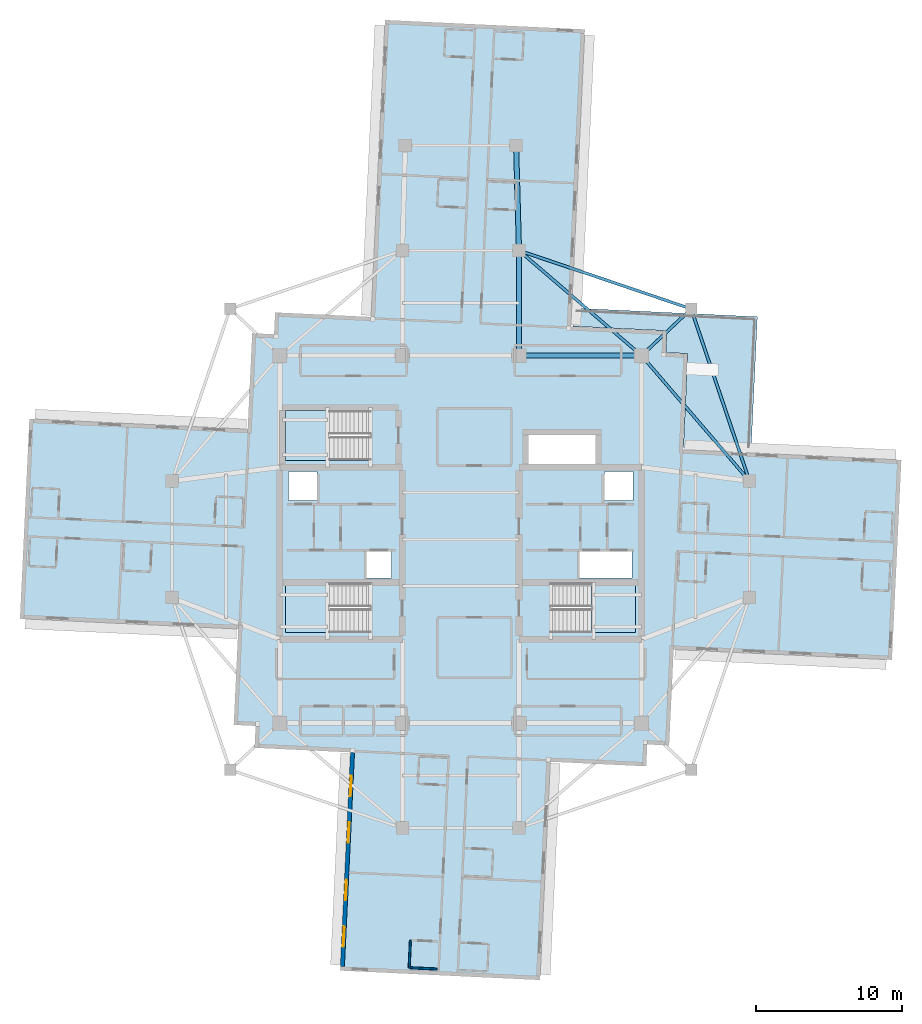
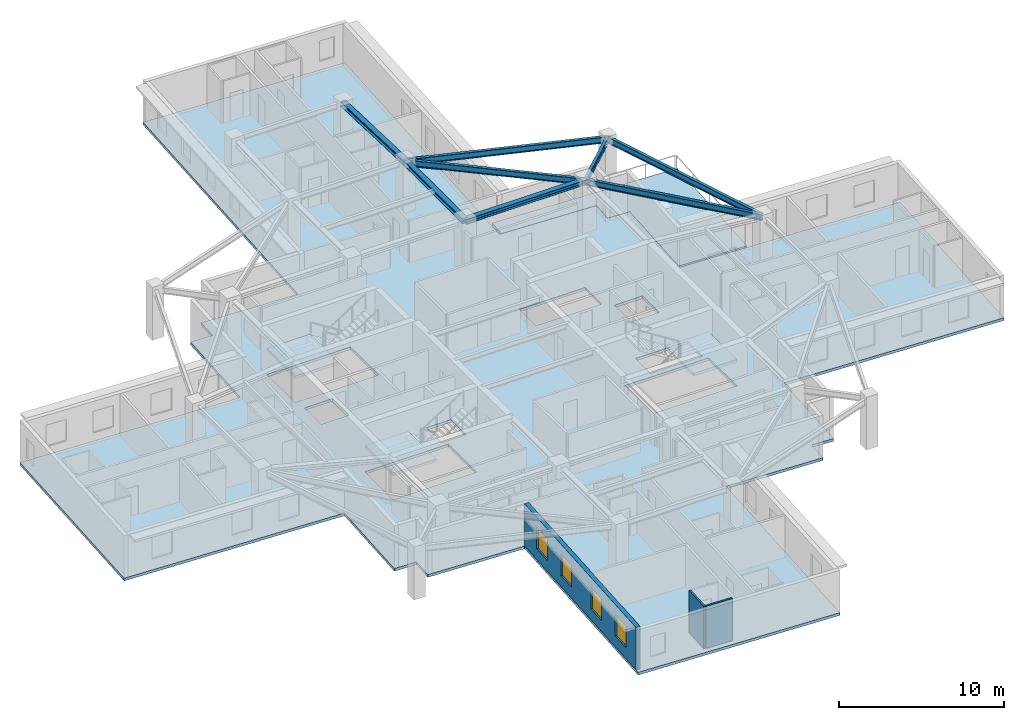
# One storey, part 2 of 13: 8 beams, 5 slabs, 4 windows, 3 walls, 4 openings, 3 elements without a shape of their own.
"""IFC4 building model written with IfcOpenShell, lengths in metres."""

from ifc_helpers import new_model, si_unit, direction, frame, frame_2d, origin, origin_2d, place, context, subcontext, project, spatial, polyline, rectangle, i_section, outline, extrude, material, layer, layer_set, material_profile, profile_set, type_object, element, fill, aggregate, save


model = new_model("IFC4")

# Units and contexts
model_context = context("Model", 3, precision=1e-05, world=origin(), true_north=direction((0.0, 1.0)))
body_context = subcontext(model_context, "Body", "Model", "MODEL_VIEW")
ifc_project = project(units=[si_unit("LENGTHUNIT", "METRE"), si_unit("AREAUNIT", "SQUARE_METRE"), si_unit("VOLUMEUNIT", "CUBIC_METRE"), si_unit("PLANEANGLEUNIT", "RADIAN"), si_unit("MASSUNIT", "GRAM", prefix="KILO")], contexts=[model_context])

# Site, building, storey
site_placement = place(None, origin())
site = spatial("IfcSite", under=ifc_project, at=site_placement, CompositionType="ELEMENT")
building_placement = place(site_placement, origin())
building = spatial("IfcBuilding", under=site, at=building_placement, Name="Qingluan Cross Belvedere", CompositionType="ELEMENT")
storey_placement = place(building_placement, frame((0.0, 0.0, 236.39990234375)))
storey = spatial("IfcBuildingStorey", under=building, at=storey_placement, Name="L59", CompositionType="ELEMENT", Elevation=236.39990234375)

# Beams
ifc_material_1 = material(Name="Steel Q420GJB", Category="steel")
ifc_material_profile_1 = material_profile(ifc_material_1, i_section(OverallWidth=0.199951171875, OverallDepth=0.449951171875, WebThickness=0.009033203125, FlangeThickness=0.013916015625, FilletRadius=0.01611328125, at=origin_2d()), Name="HN450x200x9x14")
ifc_profile_set_1 = profile_set([ifc_material_profile_1], Name="Steel Q420GJB")
beam_type_1 = type_object("IfcBeamType", Name="Steel_Beam_HN450x200x9x14", PredefinedType="JOIST", material=ifc_profile_set_1)
beam_1_placement = place(storey_placement, frame((12.39990234375, 12.60009765625, 3.425048828125), z_axis=(0.728219948308, 0.685343495546, 0.0), x_axis=(-0.685343495546, 0.728219948308, 0.0)))
element("IfcBeam", 1, at=beam_1_placement, inside=storey, type_object=beam_type_1, Name="Corner beam 1 L59-RNE", PredefinedType="JOIST", context=body_context, shape_type="SweptSolid", body=[
    extrude(i_section(OverallWidth=0.199951171875, OverallDepth=0.449951171875, WebThickness=0.009033203125, FlangeThickness=0.013916015625, FilletRadius=0.01611328125, at=origin_2d()), origin(), (0.0, 0.0, 1.0), 4.669189453125),
])
for number, where, z_axis, x_axis, name in (
    (2, (15.800048828125, 15.800048828125, 3.425048828125), (-0.947066283324, 0.321038089628, 0.0), (-0.321038089628, -0.947066283324, 0.0), "Corner beam 2 L59-RNE"),
    (3, (15.800048828125, 15.800048828125, 3.425048828125), (0.321038089628, -0.947066283324, 0.0), (0.947066283324, 0.321038089628, 0.0), "Corner beam 3 L59-RNE"),
):
    element("IfcBeam", number, at=place(storey_placement, frame(where, z_axis=z_axis, x_axis=x_axis)), inside=storey, type_object=beam_type_1, Name=name, PredefinedType="JOIST", context=body_context, shape_type="SweptSolid", body=[
        extrude(i_section(OverallWidth=0.199951171875, OverallDepth=0.449951171875, WebThickness=0.009033203125, FlangeThickness=0.013916015625, FilletRadius=0.01611328125, at=origin_2d()), origin(), (0.0, 0.0, 1.0), 12.45947265625),
    ])
beam_2_placement = place(storey_placement, frame((12.39990234375, 12.60009765625, 3.425048828125), z_axis=(0.652245077546, -0.75800815221, 0.0), x_axis=(0.75800815221, 0.652245077546, 0.0)))
element("IfcBeam", 4, at=beam_2_placement, inside=storey, type_object=beam_type_1, Name="Corner beam 4 L59-RNE", PredefinedType="JOIST", context=body_context, shape_type="SweptSolid", body=[
    extrude(i_section(OverallWidth=0.199951171875, OverallDepth=0.449951171875, WebThickness=0.009033203125, FlangeThickness=0.013916015625, FilletRadius=0.01611328125, at=origin_2d()), origin(), (0.0, 0.0, 1.0), 11.345703125),
])
beam_3_placement = place(storey_placement, frame((12.39990234375, 12.60009765625, 3.425048828125), z_axis=(-0.759255044656, 0.650793190779, 0.0), x_axis=(-0.650793190779, -0.759255044656, 0.0)))
element("IfcBeam", 5, at=beam_3_placement, inside=storey, type_object=beam_type_1, Name="Corner beam 5 L59-RNE", PredefinedType="JOIST", context=body_context, shape_type="SweptSolid", body=[
    extrude(i_section(OverallWidth=0.199951171875, OverallDepth=0.449951171875, WebThickness=0.009033203125, FlangeThickness=0.013916015625, FilletRadius=0.01611328125, at=origin_2d()), origin(), (0.0, 0.0, 1.0), 11.063232421875),
])
ifc_material_2 = material(Name="Steel Q420GJB", Category="steel")
ifc_material_profile_2 = material_profile(ifc_material_2, i_section(OverallWidth=0.35009765625, OverallDepth=0.35009765625, WebThickness=0.011962890625, FlangeThickness=0.01904296875, FilletRadius=0.02001953125, at=origin_2d()), Name="HW350x350x12x19")
ifc_profile_set_2 = profile_set([ifc_material_profile_2], Name="Steel Q420GJB")
beam_type_2 = type_object("IfcBeamType", Name="Steel_Girder_HW350x350x12x19", PredefinedType="USERDEFINED", material=ifc_profile_set_2)
beam_4_placement = place(storey_placement, frame((4.0, 12.60009765625, 3.47509765625), z_axis=(1.0, 0.0, 0.0), x_axis=(0.0, 1.0, 0.0)))
element("IfcBeam", 6, at=beam_4_placement, inside=storey, type_object=beam_type_2, Name="Hub girder L59-HG-N3", ObjectType="GIRDER", PredefinedType="USERDEFINED", context=body_context, shape_type="SweptSolid", body=[
    extrude(i_section(OverallWidth=0.35009765625, OverallDepth=0.35009765625, WebThickness=0.011962890625, FlangeThickness=0.01904296875, FilletRadius=0.02001953125, at=origin_2d()), origin(), (0.0, 0.0, 1.0), 8.39990234375),
])
beam_5_placement = place(storey_placement, frame((4.0, 12.60009765625, 3.47509765625), z_axis=(0.0, 1.0, 0.0), x_axis=(-1.0, 0.0, 0.0)))
element("IfcBeam", 7, at=beam_5_placement, inside=storey, type_object=beam_type_2, Name="Arm N radial girder B L59", ObjectType="GIRDER", PredefinedType="USERDEFINED", context=body_context, shape_type="SweptSolid", body=[
    extrude(i_section(OverallWidth=0.35009765625, OverallDepth=0.35009765625, WebThickness=0.011962890625, FlangeThickness=0.01904296875, FilletRadius=0.02001953125, at=origin_2d()), origin(), (0.0, 0.0, 1.0), 7.199951171875),
])
beam_6_placement = place(storey_placement, frame((4.0, 19.800048828125, 3.47509765625), z_axis=(-0.027760481514, 0.999614603568, 0.0), x_axis=(-0.999614603568, -0.027760481514, 0.0)))
element("IfcBeam", 8, at=beam_6_placement, inside=storey, type_object=beam_type_2, Name="Arm N outer radial girder B L59", ObjectType="GIRDER", PredefinedType="USERDEFINED", context=body_context, shape_type="SweptSolid", body=[
    extrude(i_section(OverallWidth=0.35009765625, OverallDepth=0.35009765625, WebThickness=0.011962890625, FlangeThickness=0.01904296875, FilletRadius=0.02001953125, at=origin_2d()), origin(), (0.0, 0.0, 1.0), 7.20263671875),
])

# Slab
ifc_material_3 = material(Name="Concrete C40", Category="concrete")
ifc_layer_1 = layer(ifc_material_3, 0.199951171875, Name="FloorSlab_200")
ifc_layer_set_1 = layer_set([ifc_layer_1], Name="Concrete C40")
slab_type_1 = type_object("IfcSlabType", Name="FloorSlab_200", PredefinedType="FLOOR", material=ifc_layer_set_1)
slab_1_placement = place(storey_placement, frame((0.0, 0.0, -0.199951171875)))
element("IfcSlab", 9, at=slab_1_placement, inside=storey, type_object=slab_type_1, Name="Structural floor slab L59", PredefinedType="FLOOR", context=body_context, shape_type="SweptSolid", body=[
    extrude(outline(polyline([(5.443115234375, -30.2099609375), (6.148681640625, -15.24658203125), (12.72119140625, -15.556396484375), (12.7919921875, -14.05810546875), (14.290283203125, -14.12890625), (14.600341796875, -7.55615234375), (29.563720703125, -8.26171875), (30.2099609375, 5.443115234375), (15.24658203125, 6.148681640625), (15.556396484375, 12.72119140625), (14.05810546875, 12.7919921875), (14.12890625, 14.290283203125), (7.55615234375, 14.600341796875), (8.51611328125, 34.95751953125), (-5.188720703125, 35.60400390625), (-6.148681640625, 15.24658203125), (-12.72119140625, 15.556396484375), (-12.7919921875, 14.05810546875), (-14.290283203125, 14.12890625), (-14.600341796875, 7.55615234375), (-29.563720703125, 8.26171875), (-30.2099609375, -5.443115234375), (-15.24658203125, -6.148681640625), (-15.556396484375, -12.72119140625), (-14.05810546875, -12.7919921875), (-14.12890625, -14.290283203125), (-7.55615234375, -14.600341796875), (-8.26171875, -29.563720703125), (5.443115234375, -30.2099609375)]), holes=[polyline([(-12.0, -3.0), (-6.179931640625, -3.0), (-6.179931640625, -6.39990234375), (-12.0, -6.39990234375), (-12.0, -3.0)]), polyline([(6.179931640625, -3.0), (12.0, -3.0), (12.0, -6.39990234375), (6.179931640625, -6.39990234375), (6.179931640625, -3.0)]), polyline([(-12.0, 8.820068359375), (-6.179931640625, 8.820068359375), (-6.179931640625, 5.419921875), (-12.0, 5.419921875), (-12.0, 8.820068359375)]), polyline([(-11.800048828125, 4.64990234375), (-9.85009765625, 4.64990234375), (-9.85009765625, 2.64990234375), (-11.800048828125, 2.64990234375), (-11.800048828125, 4.64990234375)]), polyline([(9.85009765625, 4.64990234375), (11.800048828125, 4.64990234375), (11.800048828125, 2.64990234375), (9.85009765625, 2.64990234375), (9.85009765625, 4.64990234375)]), polyline([(-6.449951171875, -0.840087890625), (-4.75, -0.840087890625), (-4.75, -2.659912109375), (-6.449951171875, -2.659912109375), (-6.449951171875, -0.840087890625)]), polyline([(8.14990234375, -0.840087890625), (11.75, -0.840087890625), (11.75, -2.659912109375), (8.14990234375, -2.659912109375), (8.14990234375, -0.840087890625)]), polyline([(4.64990234375, 7.14990234375), (9.25, 7.14990234375), (9.25, 5.14990234375), (4.64990234375, 5.14990234375), (4.64990234375, 7.14990234375)])]), origin(), (0.0, 0.0, 1.0), 0.199951171875),
])

# Stair, slab
ifc_material_4 = material(Name="Concrete C40", Category="concrete")
stair_type = type_object("IfcStairType", Name="CoreDoglegStair_1620", PredefinedType="HALF_TURN_STAIR", material=ifc_material_4)
stair_1_placement = place(storey_placement, origin())
stair_1 = element("IfcStair", 10, at=stair_1_placement, inside=storey, type_object=stair_type, Name="L59 ST1", PredefinedType="HALF_TURN_STAIR")
ifc_material_5 = material(Name="Concrete C40", Category="concrete")
ifc_layer_2 = layer(ifc_material_5, 0.179931640625, Name="StairLandingSlab_180")
ifc_layer_set_2 = layer_set([ifc_layer_2], Name="Concrete C40")
slab_type_2 = type_object("IfcSlabType", Name="StairLandingSlab_180", PredefinedType="LANDING", material=ifc_layer_set_2)
slab_2_placement = place(storey_placement, frame((0.0, 0.0, 1.75)))
slab_2 = element("IfcSlab", 11, at=slab_2_placement, type_object=slab_type_2, Name="ST1 landing 1", PredefinedType="LANDING", context=body_context, shape_type="SweptSolid", body=[
    extrude(outline(polyline([(-8.97998046875, -3.0), (-12.0, -3.0), (-12.0, -6.39990234375), (-8.97998046875, -6.39990234375), (-8.97998046875, -3.0)])), origin(), (0.0, 0.0, 1.0), 0.2001953125),
])
aggregate(stair_1, [slab_2])

stair_2_placement = place(storey_placement, origin())
stair_2 = element("IfcStair", 12, at=stair_2_placement, inside=storey, type_object=stair_type, Name="L59 ST2", PredefinedType="HALF_TURN_STAIR")
slab_3_placement = place(storey_placement, frame((0.0, 0.0, 1.75)))
slab_3 = element("IfcSlab", 13, at=slab_3_placement, type_object=slab_type_2, Name="ST2 landing 1", PredefinedType="LANDING", context=body_context, shape_type="SweptSolid", body=[
    extrude(outline(polyline([(8.97998046875, -6.39990234375), (12.0, -6.39990234375), (12.0, -3.0), (8.97998046875, -3.0), (8.97998046875, -6.39990234375)])), origin(), (0.0, 0.0, 1.0), 0.2001953125),
])
aggregate(stair_2, [slab_3])

stair_3_placement = place(storey_placement, origin())
stair_3 = element("IfcStair", 14, at=stair_3_placement, inside=storey, type_object=stair_type, Name="L59 ST3", PredefinedType="HALF_TURN_STAIR")
slab_4_placement = place(storey_placement, frame((0.0, 0.0, 1.75)))
slab_4 = element("IfcSlab", 15, at=slab_4_placement, type_object=slab_type_2, Name="ST3 landing 1", PredefinedType="LANDING", context=body_context, shape_type="SweptSolid", body=[
    extrude(outline(polyline([(-8.97998046875, 8.820068359375), (-12.0, 8.820068359375), (-12.0, 5.419921875), (-8.97998046875, 5.419921875), (-8.97998046875, 8.820068359375)])), origin(), (0.0, 0.0, 1.0), 0.2001953125),
])
aggregate(stair_3, [slab_4])

# Slab
ifc_material_6 = material(Name="Concrete C40", Category="concrete")
ifc_layer_3 = layer(ifc_material_6, 0.219970703125, Name="TerraceSlab_220")
ifc_layer_set_3 = layer_set([ifc_layer_3], Name="Concrete C40")
slab_type_3 = type_object("IfcSlabType", Name="TerraceSlab_220", PredefinedType="FLOOR", material=ifc_layer_set_3)
slab_5_placement = place(storey_placement, frame((0.0, 0.0, -0.219970703125)))
element("IfcSlab", 16, at=slab_5_placement, inside=storey, type_object=slab_type_3, Name="Spiralling winter-garden terrace slab L59", PredefinedType="FLOOR", context=body_context, shape_type="SweptSolid", body=[
    extrude(outline(polyline([(7.696533203125, 14.603759765625), (14.134765625, 14.29833984375), (14.068603515625, 12.801513671875), (15.556884765625, 12.731201171875), (15.56640625, 12.722900390625), (15.26318359375, 6.2880859375), (19.907958984375, 6.06884765625), (20.34130859375, 15.2587890625), (7.75537109375, 15.852294921875), (7.696533203125, 14.603759765625)])), origin(), (0.0, 0.0, 1.0), 0.219970703125),
])

# Walls
ifc_material_7 = material(Name="Moisture-resistant gypsum board lining")
ifc_layer_4 = layer(ifc_material_7, 0.1201171875, Name="EnsuiteWetPartition_120")
ifc_layer_set_4 = layer_set([ifc_layer_4], Name="Moisture-resistant gypsum board lining")
wall_type_1 = type_object("IfcWallType", Name="EnsuiteWetPartition_120", PredefinedType="PARTITIONING", material=ifc_layer_set_4)
wall_1_placement = place(storey_placement, frame((-3.46728515625, -29.369384765625, 0.0), z_axis=(0.0, 0.0, 1.0), x_axis=(0.998890786574, -0.047087116047, 0.0)))
element("IfcWall", 17, at=wall_1_placement, inside=storey, type_object=wall_type_1, Name="Partition L59:S:bw1_1", PredefinedType="PARTITIONING", context=body_context, shape_type="SweptSolid", body=[
    extrude(rectangle(XDim=1.81982421875, YDim=0.1201171875, at=frame_2d((0.909912109375, 0.0))), origin(), (0.0, 0.0, 1.0), 3.1201171875),
])
wall_2_placement = place(storey_placement, frame((-3.443603515625, -27.48828125, 0.0), z_axis=(0.0, 0.0, 1.0), x_axis=(-0.047139425368, -0.998888319371, 0.0)))
element("IfcWall", 18, at=wall_2_placement, inside=storey, type_object=wall_type_1, Name="Partition L59:S:bc1_1", PredefinedType="PARTITIONING", context=body_context, shape_type="SweptSolid", body=[
    extrude(rectangle(XDim=1.880126953125, YDim=0.1201171875, at=frame_2d((0.93994140625, 0.0))), origin(), (0.0, 0.0, 1.0), 3.1201171875),
])

# Wall, openings, windows
ifc_material_8 = material(Name="Precast concrete C45", Category="concrete")
ifc_layer_5 = layer(ifc_material_8, 0.280029296875, Name="PrecastFacadeWall_280")
ifc_layer_set_5 = layer_set([ifc_layer_5], Name="Precast concrete C45")
wall_type_2 = type_object("IfcWallType", Name="PrecastFacadeWall_280", PredefinedType="STANDARD", material=ifc_layer_set_5)
wall_3_placement = place(storey_placement, frame((-7.416259765625, -14.60693359375, 0.0), z_axis=(0.0, 0.0, 1.0), x_axis=(-0.047117735191, -0.998889342735, 0.0)))
wall_3 = element("IfcWall", 19, at=wall_3_placement, inside=storey, type_object=wall_type_2, Name="Facade wall L59-SA", PredefinedType="STANDARD", context=body_context, shape_type="SweptSolid", body=[
    extrude(rectangle(XDim=14.699951171875, YDim=0.280029296875, at=frame_2d((7.35009765625, 0.0))), origin(), (0.0, 0.0, 1.0), 3.130126953125),
])
opening_1_placement = place(wall_3_placement, frame((1.60009765625, 0.0, 0.800048828125)))
opening_1 = element("IfcOpeningElement", 20, at=opening_1_placement, cuts=wall_3, Name="Opening W-01", PredefinedType="OPENING", context=body_context, shape_type="SweptSolid", body=[
    extrude(rectangle(XDim=1.39990234375, YDim=1.60009765625, at=frame_2d((0.699951171875, 0.800048828125))), frame((0.0, 0.14990234375, 0.0), z_axis=(0.0, -1.0, 0.0), x_axis=(1.0, 0.0, 0.0)), (0.0, 0.0, 1.0), 0.300048828125),
])
opening_2_placement = place(wall_3_placement, frame((4.800048828125, 0.0, 0.800048828125)))
opening_2 = element("IfcOpeningElement", 21, at=opening_2_placement, cuts=wall_3, Name="Opening W-01", PredefinedType="OPENING", context=body_context, shape_type="SweptSolid", body=[
    extrude(rectangle(XDim=1.39990234375, YDim=1.60009765625, at=frame_2d((0.699951171875, 0.800048828125))), frame((0.0, 0.14990234375, 0.0), z_axis=(0.0, -1.0, 0.0), x_axis=(1.0, 0.0, 0.0)), (0.0, 0.0, 1.0), 0.300048828125),
])
opening_3_placement = place(wall_3_placement, frame((8.75, 0.0, 0.800048828125)))
opening_3 = element("IfcOpeningElement", 22, at=opening_3_placement, cuts=wall_3, Name="Opening W-01", PredefinedType="OPENING", context=body_context, shape_type="SweptSolid", body=[
    extrude(rectangle(XDim=1.39990234375, YDim=1.60009765625, at=frame_2d((0.699951171875, 0.800048828125))), frame((0.0, 0.14990234375, 0.0), z_axis=(0.0, -1.0, 0.0), x_axis=(1.0, 0.0, 0.0)), (0.0, 0.0, 1.0), 0.300048828125),
])
opening_4_placement = place(wall_3_placement, frame((11.949951171875, 0.0, 0.800048828125)))
opening_4 = element("IfcOpeningElement", 23, at=opening_4_placement, cuts=wall_3, Name="Opening W-01", PredefinedType="OPENING", context=body_context, shape_type="SweptSolid", body=[
    extrude(rectangle(XDim=1.39990234375, YDim=1.60009765625, at=frame_2d((0.699951171875, 0.800048828125))), frame((0.0, 0.14990234375, 0.0), z_axis=(0.0, -1.0, 0.0), x_axis=(1.0, 0.0, 0.0)), (0.0, 0.0, 1.0), 0.300048828125),
])
ifc_material_9 = material(Name="Thermally broken triple Low-E glass in aluminium frame", Category="aluminium")
window_type = type_object("IfcWindowType", Name="TriRibbonWin_1400x1600", PartitioningType="SINGLE_PANEL", PredefinedType="WINDOW", material=ifc_material_9)
window_1_placement = place(opening_1_placement, origin())
window_1 = element("IfcWindow", 24, at=window_1_placement, inside=storey, type_object=window_type, Name="Ribbon window L59-SA-1", OverallHeight=1.60009765625, OverallWidth=1.39990234375, PartitioningType="SINGLE_PANEL", PredefinedType="WINDOW", context=body_context, shape_type="SweptSolid", body=[
    extrude(rectangle(XDim=1.39990234375, YDim=1.60009765625, at=frame_2d((0.699951171875, 0.800048828125))), frame((0.0, 0.030029296875, 0.0), z_axis=(0.0, -1.0, 0.0), x_axis=(1.0, 0.0, 0.0)), (0.0, 0.0, 1.0), 0.06005859375),
])
fill(opening_1, window_1)
window_2_placement = place(opening_2_placement, origin())
window_2 = element("IfcWindow", 25, at=window_2_placement, inside=storey, type_object=window_type, Name="Ribbon window L59-SA-2", OverallHeight=1.60009765625, OverallWidth=1.39990234375, PartitioningType="SINGLE_PANEL", PredefinedType="WINDOW", context=body_context, shape_type="SweptSolid", body=[
    extrude(rectangle(XDim=1.39990234375, YDim=1.60009765625, at=frame_2d((0.699951171875, 0.800048828125))), frame((0.0, 0.030029296875, 0.0), z_axis=(0.0, -1.0, 0.0), x_axis=(1.0, 0.0, 0.0)), (0.0, 0.0, 1.0), 0.06005859375),
])
fill(opening_2, window_2)
window_3_placement = place(opening_3_placement, origin())
window_3 = element("IfcWindow", 26, at=window_3_placement, inside=storey, type_object=window_type, Name="Ribbon window L59-SA-3", OverallHeight=1.60009765625, OverallWidth=1.39990234375, PartitioningType="SINGLE_PANEL", PredefinedType="WINDOW", context=body_context, shape_type="SweptSolid", body=[
    extrude(rectangle(XDim=1.39990234375, YDim=1.60009765625, at=frame_2d((0.699951171875, 0.800048828125))), frame((0.0, 0.030029296875, 0.0), z_axis=(0.0, -1.0, 0.0), x_axis=(1.0, 0.0, 0.0)), (0.0, 0.0, 1.0), 0.06005859375),
])
fill(opening_3, window_3)
window_4_placement = place(opening_4_placement, origin())
window_4 = element("IfcWindow", 27, at=window_4_placement, inside=storey, type_object=window_type, Name="Ribbon window L59-SA-4", OverallHeight=1.60009765625, OverallWidth=1.39990234375, PartitioningType="SINGLE_PANEL", PredefinedType="WINDOW", context=body_context, shape_type="SweptSolid", body=[
    extrude(rectangle(XDim=1.39990234375, YDim=1.60009765625, at=frame_2d((0.699951171875, 0.800048828125))), frame((0.0, 0.030029296875, 0.0), z_axis=(0.0, -1.0, 0.0), x_axis=(1.0, 0.0, 0.0)), (0.0, 0.0, 1.0), 0.06005859375),
])
fill(opening_4, window_4)

save(model, "model.ifc")
